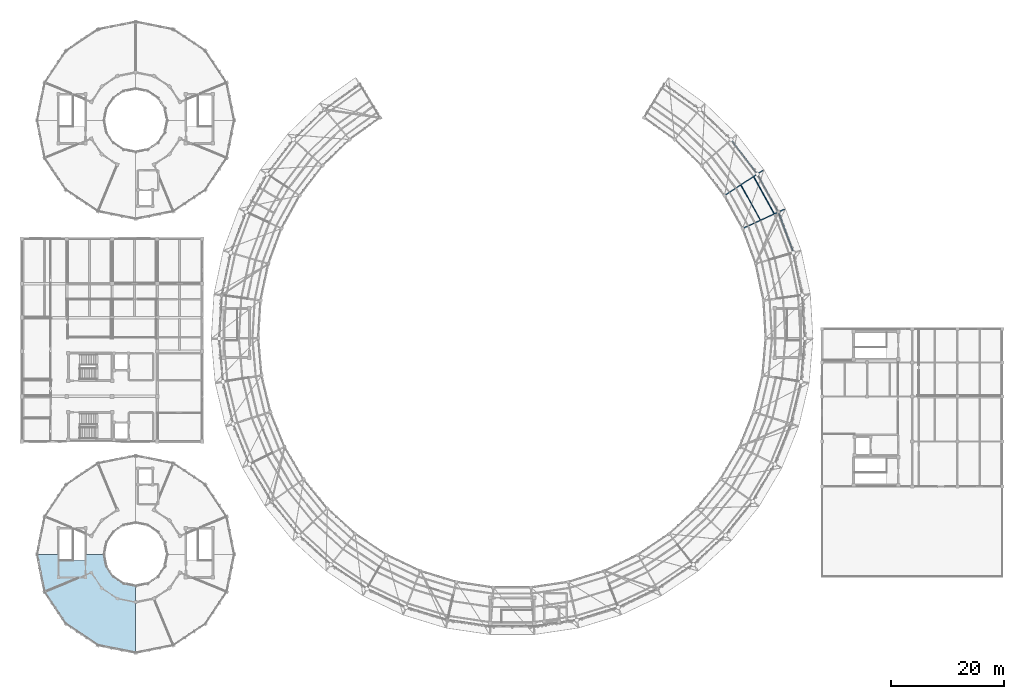
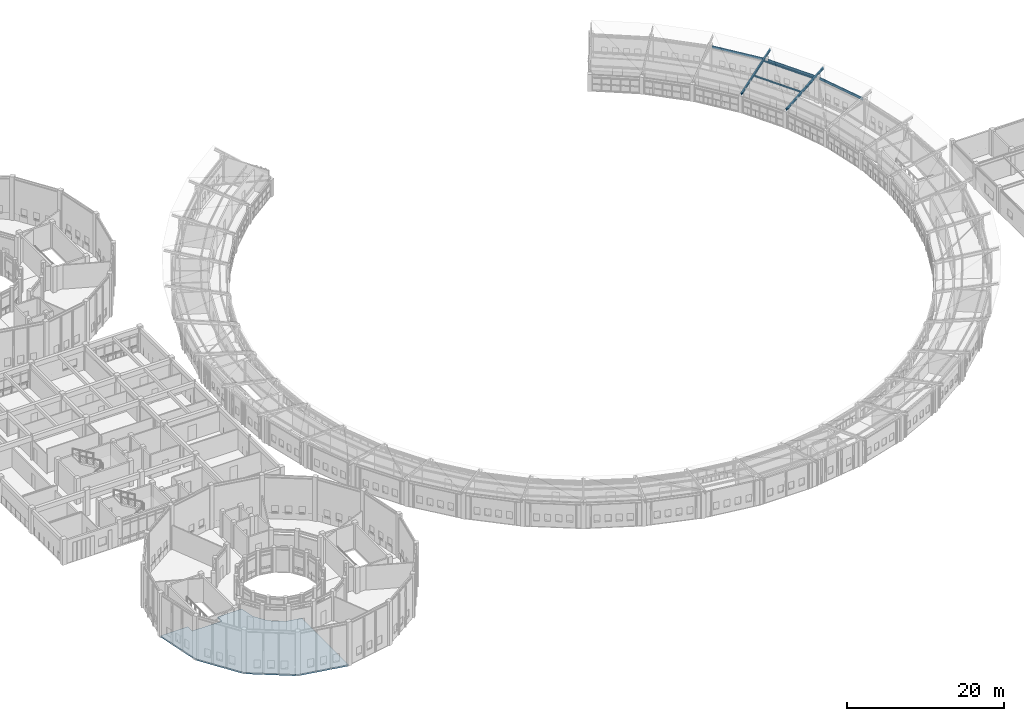
# One storey, part 99 of 149: 4 members, 3 beams, 1 slab.
"""IFC4 building model written with IfcOpenShell, lengths in metres."""

from ifc_helpers import new_model, si_unit, direction, frame, origin, origin_2d, place, context, subcontext, project, spatial, polyline, i_section, outline, extrude, material, layer, layer_set, material_profile, profile_set, type_object, element, save


model = new_model("IFC4")

# Units and contexts
model_context = context("Model", 3, precision=1e-05, world=origin(), true_north=direction((0.0, 1.0)))
body_context = subcontext(model_context, "Body", "Model", "MODEL_VIEW")
ifc_project = project(units=[si_unit("LENGTHUNIT", "METRE"), si_unit("AREAUNIT", "SQUARE_METRE"), si_unit("VOLUMEUNIT", "CUBIC_METRE"), si_unit("PLANEANGLEUNIT", "RADIAN"), si_unit("MASSUNIT", "GRAM", prefix="KILO")], contexts=[model_context])

# Site, building, storey
site_placement = place(None, origin())
site = spatial("IfcSite", under=ifc_project, at=site_placement, CompositionType="ELEMENT")
building_placement = place(site_placement, origin())
building = spatial("IfcBuilding", under=site, at=building_placement, Name="Celadon Cloister-Ring School", CompositionType="ELEMENT")
storey_placement = place(building_placement, frame((0.0, 0.0, 12.5)))
storey = spatial("IfcBuildingStorey", under=building, at=storey_placement, Name="L03", CompositionType="ELEMENT", Elevation=12.5)

# Members
ifc_material_1 = material(Name="Structural steel S355JR", Category="steel")
ifc_material_profile_1 = material_profile(ifc_material_1, i_section(OverallWidth=0.133056640625, OverallDepth=0.20703125, WebThickness=0.005859375, FlangeThickness=0.00830078125, at=origin_2d()), Name="W200X27")
ifc_profile_set_1 = profile_set([ifc_material_profile_1], Name="Structural steel S355JR")
member_type_1 = type_object("IfcMemberType", Name="MP-04", PredefinedType="PURLIN", material=ifc_profile_set_1)
member_1_placement = place(storey_placement, frame((131.06396484375, 79.262939453125, 3.4599609375), z_axis=(-0.483905281913, 0.875120379226, 0.0), x_axis=(-0.875120379226, -0.483905281913, 0.0)))
element("IfcMember", 1, at=member_1_placement, inside=storey, type_object=member_type_1, Name="Structural Member 0238", PredefinedType="PURLIN", context=body_context, shape_type="SweptSolid", body=[
    extrude(i_section(OverallWidth=0.133056640625, OverallDepth=0.20703125, WebThickness=0.005859375, FlangeThickness=0.00830078125, at=origin_2d()), origin(), (0.0, 0.0, 1.0), 7.185302734375),
])
member_2_placement = place(storey_placement, frame((133.51708984375, 80.39208984375, 4.073974609375), z_axis=(-0.484024152741, 0.875054638044, 0.0), x_axis=(-0.875054638044, -0.484024152741, 0.0)))
element("IfcMember", 2, at=member_2_placement, inside=storey, type_object=member_type_1, Name="Structural Member 0239", PredefinedType="PURLIN", context=body_context, shape_type="SweptSolid", body=[
    extrude(i_section(OverallWidth=0.133056640625, OverallDepth=0.20703125, WebThickness=0.005859375, FlangeThickness=0.00830078125, at=origin_2d()), origin(), (0.0, 0.0, 1.0), 7.584716796875),
])
ifc_material_2 = material(Name="Structural steel S355JR", Category="steel")
ifc_material_profile_2 = material_profile(ifc_material_2, i_section(OverallWidth=0.1708984375, OverallDepth=0.35498046875, WebThickness=0.007080078125, FlangeThickness=0.01171875, at=origin_2d()), Name="W360X51")
ifc_profile_set_2 = profile_set([ifc_material_profile_2], Name="Structural steel S355JR")
member_type_2 = type_object("IfcMemberType", Name="MR-05", PredefinedType="RAFTER", material=ifc_profile_set_2)
for number, where, z_axis, x_axis, name in (
    (3, (127.884033203125, 77.801025390625, 2.72607421875), (0.886143393211, 0.407512706437, 0.220642880604), (-0.417809768863, 0.908534532664, 0.0), "Structural Member 0064"),
    (4, (124.657958984375, 83.635009765625, 2.72607421875), (0.816217790302, 0.533952272042, 0.220643354706), (-0.547444279339, 0.836842136259, 0.0), "Structural Member 0066"),
):
    element("IfcMember", number, at=place(storey_placement, frame(where, z_axis=z_axis, x_axis=x_axis)), inside=storey, type_object=member_type_2, Name=name, PredefinedType="RAFTER", context=body_context, shape_type="SweptSolid", body=[
        extrude(i_section(OverallWidth=0.1708984375, OverallDepth=0.35498046875, WebThickness=0.007080078125, FlangeThickness=0.01171875, at=origin_2d()), origin(), (0.0, 0.0, 1.0), 8.4072265625),
    ])

# Beams
ifc_material_3 = material(Name="Structural steel S355JR", Category="steel")
ifc_material_profile_3 = material_profile(ifc_material_3, i_section(OverallWidth=0.1708984375, OverallDepth=0.35498046875, WebThickness=0.007080078125, FlangeThickness=0.01171875, at=origin_2d()), Name="W360X51")
ifc_profile_set_3 = profile_set([ifc_material_profile_3], Name="Structural steel S355JR")
beam_type = type_object("IfcBeamType", Name="SP-04", PredefinedType="SPANDREL", material=ifc_profile_set_3)
beam_1_placement = place(storey_placement, frame((136.839111328125, 73.76611328125, 3.722900390625), z_axis=(-0.349383465048, 0.936979826011, 0.0), x_axis=(-0.936979826011, -0.349383465048, 0.0)))
element("IfcBeam", 5, at=beam_1_placement, inside=storey, type_object=beam_type, Name="Beam 0581", PredefinedType="SPANDREL", context=body_context, shape_type="SweptSolid", body=[
    extrude(i_section(OverallWidth=0.1708984375, OverallDepth=0.35498046875, WebThickness=0.007080078125, FlangeThickness=0.01171875, at=origin_2d()), origin(), (0.0, 0.0, 1.0), 7.152587890625),
])
beam_2_placement = place(storey_placement, frame((134.111083984375, 80.967041015625, 3.722900390625), z_axis=(-0.484030801816, 0.875050960169, 0.0), x_axis=(-0.875050960169, -0.484030801816, 0.0)))
element("IfcBeam", 6, at=beam_2_placement, inside=storey, type_object=beam_type, Name="Beam 0583", PredefinedType="SPANDREL", context=body_context, shape_type="SweptSolid", body=[
    extrude(i_section(OverallWidth=0.1708984375, OverallDepth=0.35498046875, WebThickness=0.007080078125, FlangeThickness=0.01171875, at=origin_2d()), origin(), (0.0, 0.0, 1.0), 7.15283203125),
])
beam_3_placement = place(storey_placement, frame((130.34912109375, 87.68505859375, 3.722900390625), z_axis=(-0.607967976917, 0.793961547585, 0.0), x_axis=(-0.793961547585, -0.607967976917, 0.0)))
element("IfcBeam", 7, at=beam_3_placement, inside=storey, type_object=beam_type, Name="Beam 0585", PredefinedType="SPANDREL", context=body_context, shape_type="SweptSolid", body=[
    extrude(i_section(OverallWidth=0.1708984375, OverallDepth=0.35498046875, WebThickness=0.007080078125, FlangeThickness=0.01171875, at=origin_2d()), origin(), (0.0, 0.0, 1.0), 7.155029296875),
])

# Slab
ifc_material_4 = material(Name="Concrete C35/45", Category="concrete")
ifc_layer = layer(ifc_material_4, 0.219970703125)
ifc_layer_set = layer_set([ifc_layer], Name="Concrete C35/45")
slab_type = type_object("IfcSlabType", Name="SL-FL2", PredefinedType="FLOOR", material=ifc_layer_set)
slab_placement = place(storey_placement, frame((0.0, 0.0, -0.219970703125)))
element("IfcSlab", 8, at=slab_placement, inside=storey, type_object=slab_type, Name="V5a Ring L03 Sector 0059", PredefinedType="FLOOR", context=body_context, shape_type="SweptSolid", body=[
    extrude(outline(polyline([(14.60009765625, 20.0), (15.02587890625, 17.85693359375), (16.239990234375, 16.0400390625), (18.056884765625, 14.825927734375), (20.199951171875, 14.39990234375), (20.199951171875, 2.5), (13.5029296875, 3.83203125), (7.825927734375, 7.6259765625), (4.031982421875, 13.302978515625), (2.699951171875, 20.0), (6.719970703125, 20.0), (6.719970703125, 18.9150390625), (11.080078125, 18.9150390625), (11.080078125, 20.0), (14.60009765625, 20.0)])), origin(), (0.0, 0.0, 1.0), 0.219970703125),
])

save(model, "model.ifc")
